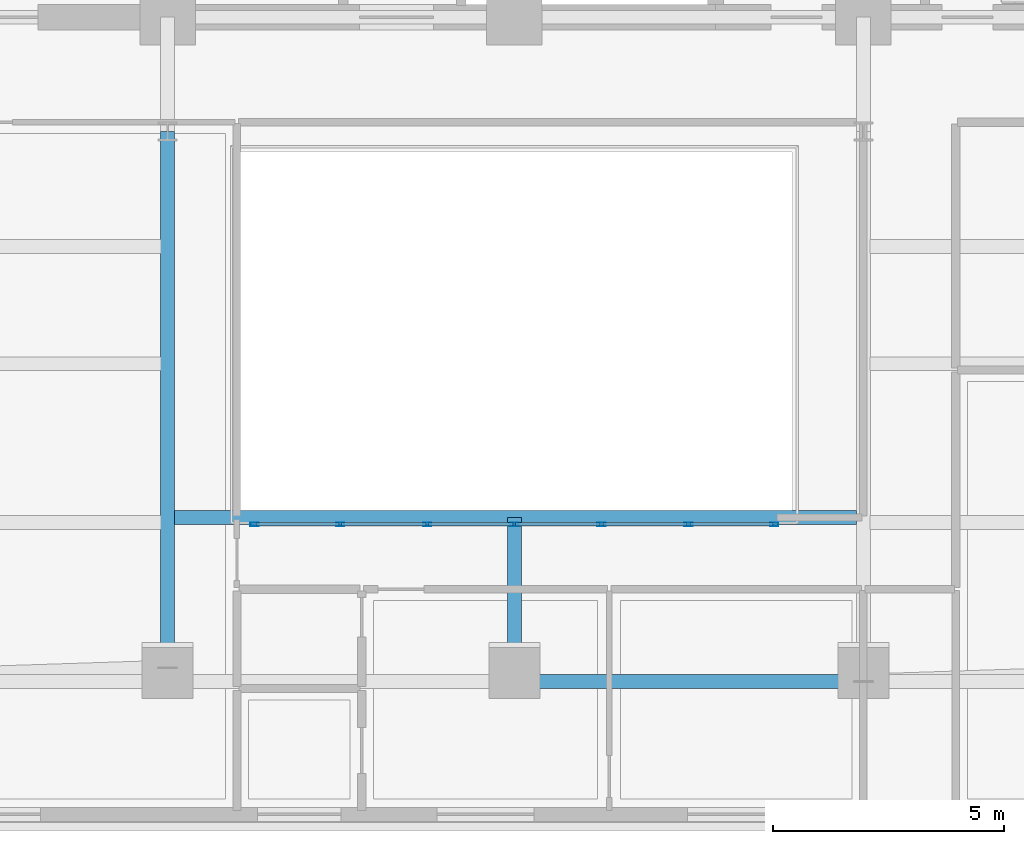
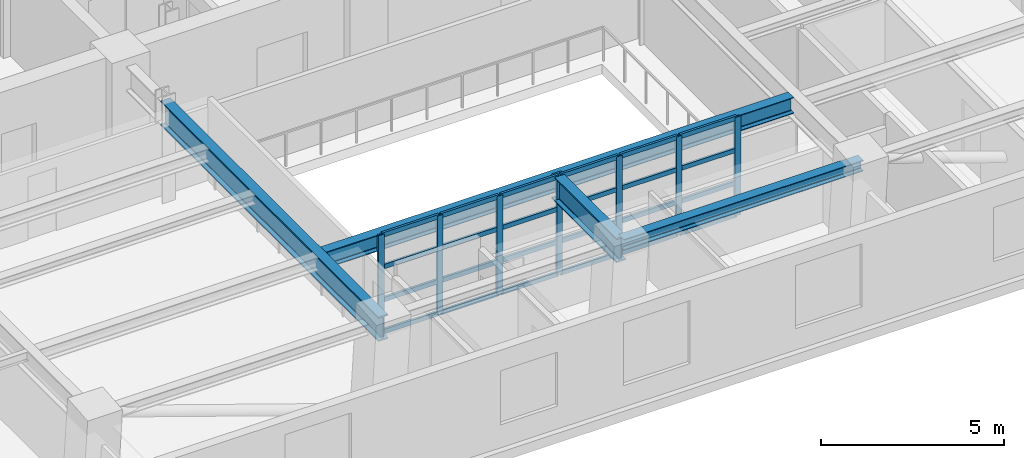
# One storey, part 2 of 13: 31 members, 4 beams, 1 element without a shape of its own.
"""IFC4 building model written with IfcOpenShell, lengths in metres."""

from ifc_helpers import new_model, si_unit, direction, frame, origin, origin_2d, place, context, subcontext, project, spatial, hollow_rectangle, i_section, extrude, material, layer, layer_set, material_profile, profile_set, type_object, element, aggregate, save


model = new_model("IFC4")

# Units and contexts
model_context = context("Model", 3, precision=1e-05, world=origin(), true_north=direction((0.0, 1.0)))
body_context = subcontext(model_context, "Body", "Model", "MODEL_VIEW")
ifc_project = project(units=[si_unit("LENGTHUNIT", "METRE"), si_unit("AREAUNIT", "SQUARE_METRE"), si_unit("VOLUMEUNIT", "CUBIC_METRE"), si_unit("PLANEANGLEUNIT", "RADIAN"), si_unit("MASSUNIT", "GRAM", prefix="KILO")], contexts=[model_context])

# Site, building, storey
site_placement = place(None, origin())
site = spatial("IfcSite", under=ifc_project, at=site_placement, CompositionType="ELEMENT")
building_placement = place(site_placement, origin())
building = spatial("IfcBuilding", under=site, at=building_placement, Name="Zarnavel Station Tower", CompositionType="ELEMENT")
storey_placement = place(building_placement, frame((0.0, 0.0, 137.699951171875)))
storey = spatial("IfcBuildingStorey", under=building, at=storey_placement, Name="L37", CompositionType="ELEMENT", Elevation=137.699951171875)

# Curtain wall, members
ifc_material_1 = material(Name="Aluminium Dark Anodised and Solar-Control Glass", Category="aluminium")
ifc_layer = layer(ifc_material_1, 0.179931640625)
ifc_layer_set = layer_set([ifc_layer], Name="CWS4")
curtain_wall_type = type_object("IfcCurtainWallType", Name="CWS4", PredefinedType="NOTDEFINED", material=ifc_layer_set)
curtain_wall_placement = place(storey_placement, origin())
curtain_wall = element("IfcCurtainWall", 1, at=curtain_wall_placement, inside=storey, type_object=curtain_wall_type, Name="L37 Curtain Wall CWS4-L37-AS", PredefinedType="NOTDEFINED")
ifc_material_2 = material(Name="Steel S355J2 (Black Fluoropolymer Coated)", Category="steel")
ifc_material_profile_1 = material_profile(ifc_material_2, hollow_rectangle(XDim=0.080078125, YDim=0.179931640625, WallThickness=0.00634765625, at=origin_2d()), Name="RHS180x80x6.3")
ifc_profile_set_1 = profile_set([ifc_material_profile_1], Name="Steel S355J2 (Black Fluoropolymer Coated)")
member_type_1 = type_object("IfcMemberType", Name="CWS4_MUL", PredefinedType="MULLION", material=ifc_profile_set_1)
member_1_placement = place(storey_placement, frame((23.179931640625, 16.85009765625, 0.0), z_axis=(0.0, 0.0, 1.0), x_axis=(0.0, 1.0, 0.0)))
member_1 = element("IfcMember", 2, at=member_1_placement, type_object=member_type_1, Name="CW4 mullion 1", PredefinedType="MULLION", context=body_context, shape_type="SweptSolid", body=[
    extrude(hollow_rectangle(XDim=0.080078125, YDim=0.179931640625, WallThickness=0.00634765625, at=origin_2d()), origin(), (0.0, 0.0, 1.0), 3.2900390625),
])
member_2_placement = place(storey_placement, frame((25.033447265625, 16.85009765625, 0.0), z_axis=(0.0, 0.0, 1.0), x_axis=(0.0, 1.0, 0.0)))
member_2 = element("IfcMember", 3, at=member_2_placement, type_object=member_type_1, Name="CW4 mullion 2", PredefinedType="MULLION", context=body_context, shape_type="SweptSolid", body=[
    extrude(hollow_rectangle(XDim=0.080078125, YDim=0.179931640625, WallThickness=0.00634765625, at=origin_2d()), origin(), (0.0, 0.0, 1.0), 3.2900390625),
])
member_3_placement = place(storey_placement, frame((26.916748046875, 16.85009765625, 0.0), z_axis=(0.0, 0.0, 1.0), x_axis=(0.0, 1.0, 0.0)))
member_3 = element("IfcMember", 4, at=member_3_placement, type_object=member_type_1, Name="CW4 mullion 3", PredefinedType="MULLION", context=body_context, shape_type="SweptSolid", body=[
    extrude(hollow_rectangle(XDim=0.080078125, YDim=0.179931640625, WallThickness=0.00634765625, at=origin_2d()), origin(), (0.0, 0.0, 1.0), 3.2900390625),
])
member_4_placement = place(storey_placement, frame((28.800048828125, 16.85009765625, 0.0), z_axis=(0.0, 0.0, 1.0), x_axis=(0.0, 1.0, 0.0)))
member_4 = element("IfcMember", 5, at=member_4_placement, type_object=member_type_1, Name="CW4 mullion 4", PredefinedType="MULLION", context=body_context, shape_type="SweptSolid", body=[
    extrude(hollow_rectangle(XDim=0.080078125, YDim=0.179931640625, WallThickness=0.00634765625, at=origin_2d()), origin(), (0.0, 0.0, 1.0), 3.2900390625),
])
member_5_placement = place(storey_placement, frame((30.683349609375, 16.85009765625, 0.0), z_axis=(0.0, 0.0, 1.0), x_axis=(0.0, 1.0, 0.0)))
member_5 = element("IfcMember", 6, at=member_5_placement, type_object=member_type_1, Name="CW4 mullion 5", PredefinedType="MULLION", context=body_context, shape_type="SweptSolid", body=[
    extrude(hollow_rectangle(XDim=0.080078125, YDim=0.179931640625, WallThickness=0.00634765625, at=origin_2d()), origin(), (0.0, 0.0, 1.0), 3.2900390625),
])
member_6_placement = place(storey_placement, frame((32.566650390625, 16.85009765625, 0.0), z_axis=(0.0, 0.0, 1.0), x_axis=(0.0, 1.0, 0.0)))
member_6 = element("IfcMember", 7, at=member_6_placement, type_object=member_type_1, Name="CW4 mullion 6", PredefinedType="MULLION", context=body_context, shape_type="SweptSolid", body=[
    extrude(hollow_rectangle(XDim=0.080078125, YDim=0.179931640625, WallThickness=0.00634765625, at=origin_2d()), origin(), (0.0, 0.0, 1.0), 3.2900390625),
])
member_7_placement = place(storey_placement, frame((34.419921875, 16.85009765625, 0.0), z_axis=(0.0, 0.0, 1.0), x_axis=(0.0, 1.0, 0.0)))
member_7 = element("IfcMember", 8, at=member_7_placement, type_object=member_type_1, Name="CW4 mullion 7", PredefinedType="MULLION", context=body_context, shape_type="SweptSolid", body=[
    extrude(hollow_rectangle(XDim=0.080078125, YDim=0.179931640625, WallThickness=0.00634765625, at=origin_2d()), origin(), (0.0, 0.0, 1.0), 3.2900390625),
])
ifc_material_3 = material(Name="Steel S355J2 (Black Fluoropolymer Coated)", Category="steel")
ifc_material_profile_2 = material_profile(ifc_material_3, hollow_rectangle(XDim=0.074951171875, YDim=0.14990234375, WallThickness=0.00634765625, at=origin_2d()), Name="RHS150x75x6.3")
ifc_profile_set_2 = profile_set([ifc_material_profile_2], Name="Steel S355J2 (Black Fluoropolymer Coated)")
member_type_2 = type_object("IfcMemberType", Name="CWS4_TRN", PredefinedType="USERDEFINED", material=ifc_profile_set_2)
member_8_placement = place(storey_placement, frame((23.2099609375, 16.85009765625, 0.030029296875), z_axis=(1.0, 0.0, 0.0), x_axis=(0.0, 1.0, 0.0)))
member_8 = element("IfcMember", 9, at=member_8_placement, type_object=member_type_2, Name="CW4 transom 1.1", ObjectType="TRANSOM", PredefinedType="USERDEFINED", context=body_context, shape_type="SweptSolid", body=[
    extrude(hollow_rectangle(XDim=0.074951171875, YDim=0.14990234375, WallThickness=0.00634765625, at=origin_2d()), origin(), (0.0, 0.0, 1.0), 1.79345703125),
])
member_9_placement = place(storey_placement, frame((23.2099609375, 16.85009765625, 1.0966796875), z_axis=(1.0, 0.0, 0.0), x_axis=(0.0, 1.0, 0.0)))
member_9 = element("IfcMember", 10, at=member_9_placement, type_object=member_type_2, Name="CW4 transom 1.2", ObjectType="TRANSOM", PredefinedType="USERDEFINED", context=body_context, shape_type="SweptSolid", body=[
    extrude(hollow_rectangle(XDim=0.074951171875, YDim=0.14990234375, WallThickness=0.00634765625, at=origin_2d()), origin(), (0.0, 0.0, 1.0), 1.79345703125),
])
member_10_placement = place(storey_placement, frame((23.2099609375, 16.85009765625, 2.193359375), z_axis=(1.0, 0.0, 0.0), x_axis=(0.0, 1.0, 0.0)))
member_10 = element("IfcMember", 11, at=member_10_placement, type_object=member_type_2, Name="CW4 transom 1.3", ObjectType="TRANSOM", PredefinedType="USERDEFINED", context=body_context, shape_type="SweptSolid", body=[
    extrude(hollow_rectangle(XDim=0.074951171875, YDim=0.14990234375, WallThickness=0.00634765625, at=origin_2d()), origin(), (0.0, 0.0, 1.0), 1.79345703125),
])
member_11_placement = place(storey_placement, frame((23.2099609375, 16.85009765625, 3.260009765625), z_axis=(1.0, 0.0, 0.0), x_axis=(0.0, 1.0, 0.0)))
member_11 = element("IfcMember", 12, at=member_11_placement, type_object=member_type_2, Name="CW4 transom 1.4", ObjectType="TRANSOM", PredefinedType="USERDEFINED", context=body_context, shape_type="SweptSolid", body=[
    extrude(hollow_rectangle(XDim=0.074951171875, YDim=0.14990234375, WallThickness=0.00634765625, at=origin_2d()), origin(), (0.0, 0.0, 1.0), 1.79345703125),
])
member_12_placement = place(storey_placement, frame((25.063232421875, 16.85009765625, 0.030029296875), z_axis=(1.0, 0.0, 0.0), x_axis=(0.0, 1.0, 0.0)))
member_12 = element("IfcMember", 13, at=member_12_placement, type_object=member_type_2, Name="CW4 transom 2.1", ObjectType="TRANSOM", PredefinedType="USERDEFINED", context=body_context, shape_type="SweptSolid", body=[
    extrude(hollow_rectangle(XDim=0.074951171875, YDim=0.14990234375, WallThickness=0.00634765625, at=origin_2d()), origin(), (0.0, 0.0, 1.0), 1.823486328125),
])
member_13_placement = place(storey_placement, frame((25.063232421875, 16.85009765625, 1.0966796875), z_axis=(1.0, 0.0, 0.0), x_axis=(0.0, 1.0, 0.0)))
member_13 = element("IfcMember", 14, at=member_13_placement, type_object=member_type_2, Name="CW4 transom 2.2", ObjectType="TRANSOM", PredefinedType="USERDEFINED", context=body_context, shape_type="SweptSolid", body=[
    extrude(hollow_rectangle(XDim=0.074951171875, YDim=0.14990234375, WallThickness=0.00634765625, at=origin_2d()), origin(), (0.0, 0.0, 1.0), 1.823486328125),
])
member_14_placement = place(storey_placement, frame((25.063232421875, 16.85009765625, 2.193359375), z_axis=(1.0, 0.0, 0.0), x_axis=(0.0, 1.0, 0.0)))
member_14 = element("IfcMember", 15, at=member_14_placement, type_object=member_type_2, Name="CW4 transom 2.3", ObjectType="TRANSOM", PredefinedType="USERDEFINED", context=body_context, shape_type="SweptSolid", body=[
    extrude(hollow_rectangle(XDim=0.074951171875, YDim=0.14990234375, WallThickness=0.00634765625, at=origin_2d()), origin(), (0.0, 0.0, 1.0), 1.823486328125),
])
member_15_placement = place(storey_placement, frame((25.063232421875, 16.85009765625, 3.260009765625), z_axis=(1.0, 0.0, 0.0), x_axis=(0.0, 1.0, 0.0)))
member_15 = element("IfcMember", 16, at=member_15_placement, type_object=member_type_2, Name="CW4 transom 2.4", ObjectType="TRANSOM", PredefinedType="USERDEFINED", context=body_context, shape_type="SweptSolid", body=[
    extrude(hollow_rectangle(XDim=0.074951171875, YDim=0.14990234375, WallThickness=0.00634765625, at=origin_2d()), origin(), (0.0, 0.0, 1.0), 1.823486328125),
])
member_16_placement = place(storey_placement, frame((26.94677734375, 16.85009765625, 0.030029296875), z_axis=(1.0, 0.0, 0.0), x_axis=(0.0, 1.0, 0.0)))
member_16 = element("IfcMember", 17, at=member_16_placement, type_object=member_type_2, Name="CW4 transom 3.1", ObjectType="TRANSOM", PredefinedType="USERDEFINED", context=body_context, shape_type="SweptSolid", body=[
    extrude(hollow_rectangle(XDim=0.074951171875, YDim=0.14990234375, WallThickness=0.00634765625, at=origin_2d()), origin(), (0.0, 0.0, 1.0), 1.8232421875),
])
member_17_placement = place(storey_placement, frame((26.94677734375, 16.85009765625, 1.0966796875), z_axis=(1.0, 0.0, 0.0), x_axis=(0.0, 1.0, 0.0)))
member_17 = element("IfcMember", 18, at=member_17_placement, type_object=member_type_2, Name="CW4 transom 3.2", ObjectType="TRANSOM", PredefinedType="USERDEFINED", context=body_context, shape_type="SweptSolid", body=[
    extrude(hollow_rectangle(XDim=0.074951171875, YDim=0.14990234375, WallThickness=0.00634765625, at=origin_2d()), origin(), (0.0, 0.0, 1.0), 1.8232421875),
])
member_18_placement = place(storey_placement, frame((26.94677734375, 16.85009765625, 2.193359375), z_axis=(1.0, 0.0, 0.0), x_axis=(0.0, 1.0, 0.0)))
member_18 = element("IfcMember", 19, at=member_18_placement, type_object=member_type_2, Name="CW4 transom 3.3", ObjectType="TRANSOM", PredefinedType="USERDEFINED", context=body_context, shape_type="SweptSolid", body=[
    extrude(hollow_rectangle(XDim=0.074951171875, YDim=0.14990234375, WallThickness=0.00634765625, at=origin_2d()), origin(), (0.0, 0.0, 1.0), 1.8232421875),
])
member_19_placement = place(storey_placement, frame((26.94677734375, 16.85009765625, 3.260009765625), z_axis=(1.0, 0.0, 0.0), x_axis=(0.0, 1.0, 0.0)))
member_19 = element("IfcMember", 20, at=member_19_placement, type_object=member_type_2, Name="CW4 transom 3.4", ObjectType="TRANSOM", PredefinedType="USERDEFINED", context=body_context, shape_type="SweptSolid", body=[
    extrude(hollow_rectangle(XDim=0.074951171875, YDim=0.14990234375, WallThickness=0.00634765625, at=origin_2d()), origin(), (0.0, 0.0, 1.0), 1.8232421875),
])
member_20_placement = place(storey_placement, frame((28.830078125, 16.85009765625, 0.030029296875), z_axis=(1.0, 0.0, 0.0), x_axis=(0.0, 1.0, 0.0)))
member_20 = element("IfcMember", 21, at=member_20_placement, type_object=member_type_2, Name="CW4 transom 4.1", ObjectType="TRANSOM", PredefinedType="USERDEFINED", context=body_context, shape_type="SweptSolid", body=[
    extrude(hollow_rectangle(XDim=0.074951171875, YDim=0.14990234375, WallThickness=0.00634765625, at=origin_2d()), origin(), (0.0, 0.0, 1.0), 1.8232421875),
])
member_21_placement = place(storey_placement, frame((28.830078125, 16.85009765625, 1.0966796875), z_axis=(1.0, 0.0, 0.0), x_axis=(0.0, 1.0, 0.0)))
member_21 = element("IfcMember", 22, at=member_21_placement, type_object=member_type_2, Name="CW4 transom 4.2", ObjectType="TRANSOM", PredefinedType="USERDEFINED", context=body_context, shape_type="SweptSolid", body=[
    extrude(hollow_rectangle(XDim=0.074951171875, YDim=0.14990234375, WallThickness=0.00634765625, at=origin_2d()), origin(), (0.0, 0.0, 1.0), 1.8232421875),
])
member_22_placement = place(storey_placement, frame((28.830078125, 16.85009765625, 2.193359375), z_axis=(1.0, 0.0, 0.0), x_axis=(0.0, 1.0, 0.0)))
member_22 = element("IfcMember", 23, at=member_22_placement, type_object=member_type_2, Name="CW4 transom 4.3", ObjectType="TRANSOM", PredefinedType="USERDEFINED", context=body_context, shape_type="SweptSolid", body=[
    extrude(hollow_rectangle(XDim=0.074951171875, YDim=0.14990234375, WallThickness=0.00634765625, at=origin_2d()), origin(), (0.0, 0.0, 1.0), 1.8232421875),
])
member_23_placement = place(storey_placement, frame((28.830078125, 16.85009765625, 3.260009765625), z_axis=(1.0, 0.0, 0.0), x_axis=(0.0, 1.0, 0.0)))
member_23 = element("IfcMember", 24, at=member_23_placement, type_object=member_type_2, Name="CW4 transom 4.4", ObjectType="TRANSOM", PredefinedType="USERDEFINED", context=body_context, shape_type="SweptSolid", body=[
    extrude(hollow_rectangle(XDim=0.074951171875, YDim=0.14990234375, WallThickness=0.00634765625, at=origin_2d()), origin(), (0.0, 0.0, 1.0), 1.8232421875),
])
member_24_placement = place(storey_placement, frame((30.71337890625, 16.85009765625, 0.030029296875), z_axis=(1.0, 0.0, 0.0), x_axis=(0.0, 1.0, 0.0)))
member_24 = element("IfcMember", 25, at=member_24_placement, type_object=member_type_2, Name="CW4 transom 5.1", ObjectType="TRANSOM", PredefinedType="USERDEFINED", context=body_context, shape_type="SweptSolid", body=[
    extrude(hollow_rectangle(XDim=0.074951171875, YDim=0.14990234375, WallThickness=0.00634765625, at=origin_2d()), origin(), (0.0, 0.0, 1.0), 1.8232421875),
])
member_25_placement = place(storey_placement, frame((30.71337890625, 16.85009765625, 1.0966796875), z_axis=(1.0, 0.0, 0.0), x_axis=(0.0, 1.0, 0.0)))
member_25 = element("IfcMember", 26, at=member_25_placement, type_object=member_type_2, Name="CW4 transom 5.2", ObjectType="TRANSOM", PredefinedType="USERDEFINED", context=body_context, shape_type="SweptSolid", body=[
    extrude(hollow_rectangle(XDim=0.074951171875, YDim=0.14990234375, WallThickness=0.00634765625, at=origin_2d()), origin(), (0.0, 0.0, 1.0), 1.8232421875),
])
member_26_placement = place(storey_placement, frame((30.71337890625, 16.85009765625, 2.193359375), z_axis=(1.0, 0.0, 0.0), x_axis=(0.0, 1.0, 0.0)))
member_26 = element("IfcMember", 27, at=member_26_placement, type_object=member_type_2, Name="CW4 transom 5.3", ObjectType="TRANSOM", PredefinedType="USERDEFINED", context=body_context, shape_type="SweptSolid", body=[
    extrude(hollow_rectangle(XDim=0.074951171875, YDim=0.14990234375, WallThickness=0.00634765625, at=origin_2d()), origin(), (0.0, 0.0, 1.0), 1.8232421875),
])
member_27_placement = place(storey_placement, frame((30.71337890625, 16.85009765625, 3.260009765625), z_axis=(1.0, 0.0, 0.0), x_axis=(0.0, 1.0, 0.0)))
member_27 = element("IfcMember", 28, at=member_27_placement, type_object=member_type_2, Name="CW4 transom 5.4", ObjectType="TRANSOM", PredefinedType="USERDEFINED", context=body_context, shape_type="SweptSolid", body=[
    extrude(hollow_rectangle(XDim=0.074951171875, YDim=0.14990234375, WallThickness=0.00634765625, at=origin_2d()), origin(), (0.0, 0.0, 1.0), 1.8232421875),
])
member_28_placement = place(storey_placement, frame((32.5966796875, 16.85009765625, 0.030029296875), z_axis=(1.0, 0.0, 0.0), x_axis=(0.0, 1.0, 0.0)))
member_28 = element("IfcMember", 29, at=member_28_placement, type_object=member_type_2, Name="CW4 transom 6.1", ObjectType="TRANSOM", PredefinedType="USERDEFINED", context=body_context, shape_type="SweptSolid", body=[
    extrude(hollow_rectangle(XDim=0.074951171875, YDim=0.14990234375, WallThickness=0.00634765625, at=origin_2d()), origin(), (0.0, 0.0, 1.0), 1.793212890625),
])
member_29_placement = place(storey_placement, frame((32.5966796875, 16.85009765625, 1.0966796875), z_axis=(1.0, 0.0, 0.0), x_axis=(0.0, 1.0, 0.0)))
member_29 = element("IfcMember", 30, at=member_29_placement, type_object=member_type_2, Name="CW4 transom 6.2", ObjectType="TRANSOM", PredefinedType="USERDEFINED", context=body_context, shape_type="SweptSolid", body=[
    extrude(hollow_rectangle(XDim=0.074951171875, YDim=0.14990234375, WallThickness=0.00634765625, at=origin_2d()), origin(), (0.0, 0.0, 1.0), 1.793212890625),
])
member_30_placement = place(storey_placement, frame((32.5966796875, 16.85009765625, 2.193359375), z_axis=(1.0, 0.0, 0.0), x_axis=(0.0, 1.0, 0.0)))
member_30 = element("IfcMember", 31, at=member_30_placement, type_object=member_type_2, Name="CW4 transom 6.3", ObjectType="TRANSOM", PredefinedType="USERDEFINED", context=body_context, shape_type="SweptSolid", body=[
    extrude(hollow_rectangle(XDim=0.074951171875, YDim=0.14990234375, WallThickness=0.00634765625, at=origin_2d()), origin(), (0.0, 0.0, 1.0), 1.793212890625),
])
member_31_placement = place(storey_placement, frame((32.5966796875, 16.85009765625, 3.260009765625), z_axis=(1.0, 0.0, 0.0), x_axis=(0.0, 1.0, 0.0)))
member_31 = element("IfcMember", 32, at=member_31_placement, type_object=member_type_2, Name="CW4 transom 6.4", ObjectType="TRANSOM", PredefinedType="USERDEFINED", context=body_context, shape_type="SweptSolid", body=[
    extrude(hollow_rectangle(XDim=0.074951171875, YDim=0.14990234375, WallThickness=0.00634765625, at=origin_2d()), origin(), (0.0, 0.0, 1.0), 1.793212890625),
])
aggregate(curtain_wall, [member_1, member_2, member_3, member_4, member_5, member_6, member_7, member_8, member_9, member_10, member_11, member_12, member_13, member_14, member_15, member_16, member_17, member_18, member_19, member_20, member_21, member_22, member_23, member_24, member_25, member_26, member_27, member_28, member_29, member_30, member_31])

# Beams
ifc_material_4 = material(Name="Steel S355J2", Category="steel")
ifc_material_profile_3 = material_profile(ifc_material_4, i_section(OverallWidth=0.300048828125, OverallDepth=0.360107421875, WebThickness=0.012451171875, FlangeThickness=0.0224609375, FilletRadius=0.027099609375, at=origin_2d()), Name="HEB360")
ifc_profile_set_3 = profile_set([ifc_material_profile_3], Name="Steel S355J2")
beam_type_1 = type_object("IfcBeamType", Name="EB_HEB360", PredefinedType="SPANDREL", material=ifc_profile_set_3)
beam_1_placement = place(storey_placement, frame((28.800048828125, 13.451416015625, 3.110107421875), z_axis=(1.0, 0.0, 0.0), x_axis=(0.0, 1.0, 0.0)))
element("IfcBeam", 33, at=beam_1_placement, inside=storey, type_object=beam_type_1, Name="L37 South Raked Spandrel 3", PredefinedType="SPANDREL", context=body_context, shape_type="SweptSolid", body=[
    extrude(i_section(OverallWidth=0.300048828125, OverallDepth=0.360107421875, WebThickness=0.012451171875, FlangeThickness=0.0224609375, FilletRadius=0.027099609375, at=origin_2d()), origin(), (0.0, 0.0, 1.0), 7.550048828125),
])
ifc_material_5 = material(Name="Steel S355J2", Category="steel")
ifc_material_profile_4 = material_profile(ifc_material_5, i_section(OverallWidth=0.300048828125, OverallDepth=0.5400390625, WebThickness=0.012451171875, FlangeThickness=0.02392578125, FilletRadius=0.027099609375, at=origin_2d()), Name="HEA550")
ifc_profile_set_4 = profile_set([ifc_material_profile_4], Name="Steel S355J2")
beam_type_2 = type_object("IfcBeamType", Name="FB_HEA550", PredefinedType="BEAM", material=ifc_profile_set_4)
beam_2_placement = place(storey_placement, frame((21.445068359375, 17.0, 3.02001953125), z_axis=(1.0, 0.0, 0.0), x_axis=(0.0, 1.0, 0.0)))
element("IfcBeam", 34, at=beam_2_placement, inside=storey, type_object=beam_type_2, Name="L37 Atrium South Edge Girder", PredefinedType="BEAM", context=body_context, shape_type="SweptSolid", body=[
    extrude(i_section(OverallWidth=0.300048828125, OverallDepth=0.5400390625, WebThickness=0.012451171875, FlangeThickness=0.02392578125, FilletRadius=0.027099609375, at=origin_2d()), origin(), (0.0, 0.0, 1.0), 14.760009765625),
])
ifc_material_6 = material(Name="Steel S460M", Category="steel")
ifc_material_profile_5 = material_profile(ifc_material_6, i_section(OverallWidth=0.302978515625, OverallDepth=0.81396484375, WebThickness=0.02099609375, FlangeThickness=0.0400390625, FilletRadius=0.030029296875, at=origin_2d()), Name="HEM800")
ifc_profile_set_5 = profile_set([ifc_material_profile_5], Name="Steel S460M")
beam_type_3 = type_object("IfcBeamType", Name="FG_HEM800", PredefinedType="USERDEFINED", material=ifc_profile_set_5)
beam_3_placement = place(storey_placement, frame((21.300048828125, 13.451416015625, 2.883056640625), z_axis=(0.0, 1.0, 0.0), x_axis=(-1.0, 0.0, 0.0)))
element("IfcBeam", 35, at=beam_3_placement, inside=storey, type_object=beam_type_3, Name="L37 South-Zone NS Girder 2", ObjectType="GIRDER", PredefinedType="USERDEFINED", context=body_context, shape_type="SweptSolid", body=[
    extrude(i_section(OverallWidth=0.302978515625, OverallDepth=0.81396484375, WebThickness=0.02099609375, FlangeThickness=0.0400390625, FilletRadius=0.030029296875, at=origin_2d()), origin(), (0.0, 0.0, 1.0), 11.898681640625),
])
beam_4_placement = place(storey_placement, frame((28.800048828125, 13.451416015625, 2.883056640625), z_axis=(0.0, 1.0, 0.0), x_axis=(-1.0, 0.0, 0.0)))
element("IfcBeam", 36, at=beam_4_placement, inside=storey, type_object=beam_type_3, Name="L37 Central Atrium-South Girder", ObjectType="GIRDER", PredefinedType="USERDEFINED", context=body_context, shape_type="SweptSolid", body=[
    extrude(i_section(OverallWidth=0.302978515625, OverallDepth=0.81396484375, WebThickness=0.02099609375, FlangeThickness=0.0400390625, FilletRadius=0.030029296875, at=origin_2d()), origin(), (0.0, 0.0, 1.0), 3.548583984375),
])

save(model, "model.ifc")
